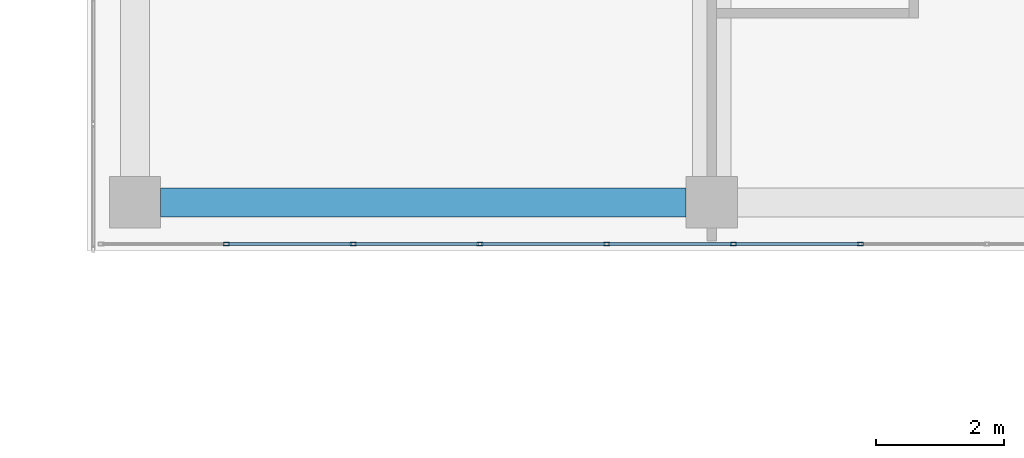
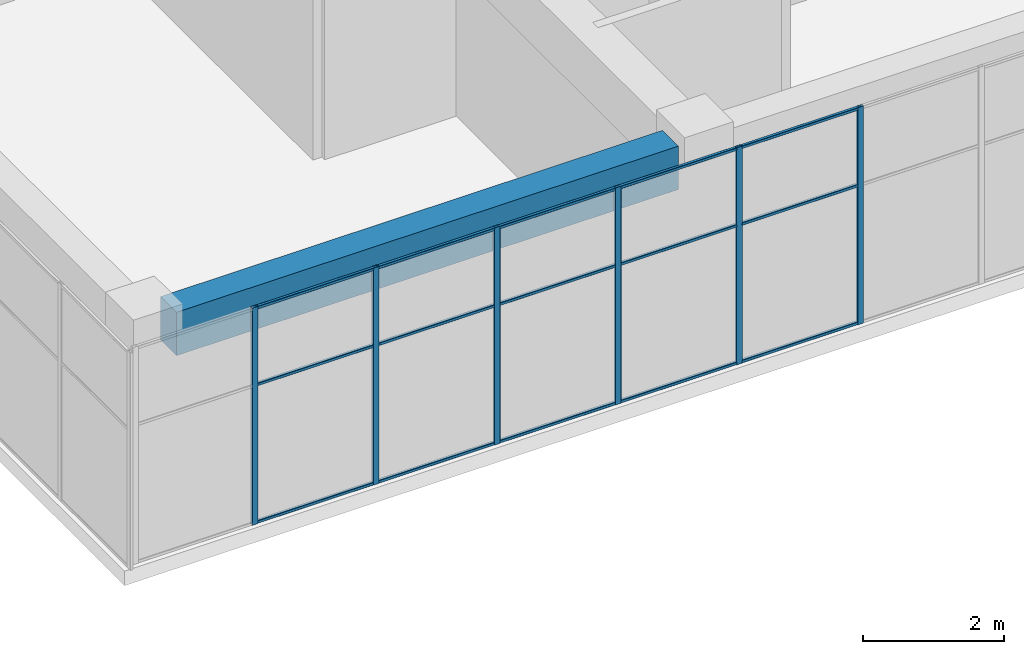
# One storey, part 22 of 55: 21 members, 1 beam, 1 element without a shape of its own.
"""IFC4 building model written with IfcOpenShell, lengths in metres."""

from ifc_helpers import new_model, si_unit, direction, frame, origin, origin_2d, place, context, subcontext, project, spatial, rectangle, hollow_rectangle, extrude, material, layer, layer_set, material_profile, profile_set, type_object, element, aggregate, save


model = new_model("IFC4")

# Units and contexts
model_context = context("Model", 3, precision=1e-05, world=origin(), true_north=direction((0.0, 1.0)))
body_context = subcontext(model_context, "Body", "Model", "MODEL_VIEW")
ifc_project = project(units=[si_unit("LENGTHUNIT", "METRE"), si_unit("AREAUNIT", "SQUARE_METRE"), si_unit("VOLUMEUNIT", "CUBIC_METRE"), si_unit("PLANEANGLEUNIT", "RADIAN"), si_unit("MASSUNIT", "GRAM", prefix="KILO")], contexts=[model_context])

# Site, building, storey
site_placement = place(None, origin())
site = spatial("IfcSite", under=ifc_project, at=site_placement, CompositionType="ELEMENT")
building_placement = place(site_placement, origin())
building = spatial("IfcBuilding", under=site, at=building_placement, Name="Tuart Plaza Theatre", CompositionType="ELEMENT")
storey_placement = place(building_placement, frame((0.0, 0.0, 21.5)))
storey = spatial("IfcBuildingStorey", under=building, at=storey_placement, Name="L05", CompositionType="ELEMENT", Elevation=21.5)

# Beam
ifc_material_1 = material(Name="Concrete N40 (40 MPa)", Category="concrete")
ifc_material_profile_1 = material_profile(ifc_material_1, rectangle(XDim=0.449951171875, YDim=0.75, at=origin_2d()), Name="BEAM 450x750 Concrete N40 (40 MPa)")
ifc_profile_set_1 = profile_set([ifc_material_profile_1], Name="Concrete N40 (40 MPa)")
beam_type = type_object("IfcBeamType", Name="BEAM 450x750 Concrete N40 (40 MPa)", PredefinedType="BEAM", material=ifc_profile_set_1)
beam_placement = place(storey_placement, frame((114.39990234375, 56.0, 3.375), z_axis=(1.0, 0.0, 0.0), x_axis=(0.0, 1.0, 0.0)))
element("IfcBeam", 1, at=beam_placement, inside=storey, type_object=beam_type, Name="RB208", PredefinedType="BEAM", context=body_context, shape_type="SweptSolid", body=[
    extrude(rectangle(XDim=0.449951171875, YDim=0.75, at=origin_2d()), origin(), (0.0, 0.0, 1.0), 8.2001953125),
])

# Curtain wall, members
ifc_material_2 = material(Name="Aluminium and glass", Category="aluminium")
ifc_layer = layer(ifc_material_2, 0.10009765625)
ifc_layer_set = layer_set([ifc_layer], Name="CURTAIN WALL 2000 module")
curtain_wall_type = type_object("IfcCurtainWallType", Name="CURTAIN WALL 2000 module", PredefinedType="NOTDEFINED", material=ifc_layer_set)
curtain_wall_placement = place(storey_placement, origin())
curtain_wall = element("IfcCurtainWall", 2, at=curtain_wall_placement, inside=storey, type_object=curtain_wall_type, Name="CW87", PredefinedType="NOTDEFINED")
ifc_material_3 = material(Name="Aluminium 6063-T5", Category="aluminium")
ifc_material_profile_2 = material_profile(ifc_material_3, hollow_rectangle(XDim=0.050048828125, YDim=0.10009765625, WallThickness=0.00390625, InnerFilletRadius=0.00390625, OuterFilletRadius=0.008056640625, at=origin_2d()), Name="RHS 100x50x4")
ifc_profile_set_2 = profile_set([ifc_material_profile_2], Name="Aluminium 6063-T5")
member_type_1 = type_object("IfcMemberType", Name="MULLION RHS 100x50x4", PredefinedType="MULLION", material=ifc_profile_set_2)
member_1_placement = place(storey_placement, frame((115.427734375, 55.35009765625, 0.0), z_axis=(0.0, 0.0, 1.0), x_axis=(0.0, 1.0, 0.0)))
member_1 = element("IfcMember", 3, at=member_1_placement, type_object=member_type_1, Name="CW87 mullion 2", PredefinedType="MULLION", context=body_context, shape_type="SweptSolid", body=[
    extrude(hollow_rectangle(XDim=0.050048828125, YDim=0.10009765625, WallThickness=0.00390625, InnerFilletRadius=0.00390625, OuterFilletRadius=0.008056640625, at=origin_2d()), origin(), (0.0, 0.0, 1.0), 3.75),
])
member_2_placement = place(storey_placement, frame((117.405517578125, 55.35009765625, 0.0), z_axis=(0.0, 0.0, 1.0), x_axis=(0.0, 1.0, 0.0)))
member_2 = element("IfcMember", 4, at=member_2_placement, type_object=member_type_1, Name="CW87 mullion 3", PredefinedType="MULLION", context=body_context, shape_type="SweptSolid", body=[
    extrude(hollow_rectangle(XDim=0.050048828125, YDim=0.10009765625, WallThickness=0.00390625, InnerFilletRadius=0.00390625, OuterFilletRadius=0.008056640625, at=origin_2d()), origin(), (0.0, 0.0, 1.0), 3.75),
])
member_3_placement = place(storey_placement, frame((119.38330078125, 55.35009765625, 0.0), z_axis=(0.0, 0.0, 1.0), x_axis=(0.0, 1.0, 0.0)))
member_3 = element("IfcMember", 5, at=member_3_placement, type_object=member_type_1, Name="CW87 mullion 4", PredefinedType="MULLION", context=body_context, shape_type="SweptSolid", body=[
    extrude(hollow_rectangle(XDim=0.050048828125, YDim=0.10009765625, WallThickness=0.00390625, InnerFilletRadius=0.00390625, OuterFilletRadius=0.008056640625, at=origin_2d()), origin(), (0.0, 0.0, 1.0), 3.75),
])
member_4_placement = place(storey_placement, frame((121.361083984375, 55.35009765625, 0.0), z_axis=(0.0, 0.0, 1.0), x_axis=(0.0, 1.0, 0.0)))
member_4 = element("IfcMember", 6, at=member_4_placement, type_object=member_type_1, Name="CW87 mullion 5", PredefinedType="MULLION", context=body_context, shape_type="SweptSolid", body=[
    extrude(hollow_rectangle(XDim=0.050048828125, YDim=0.10009765625, WallThickness=0.00390625, InnerFilletRadius=0.00390625, OuterFilletRadius=0.008056640625, at=origin_2d()), origin(), (0.0, 0.0, 1.0), 3.75),
])
member_5_placement = place(storey_placement, frame((123.3388671875, 55.35009765625, 0.0), z_axis=(0.0, 0.0, 1.0), x_axis=(0.0, 1.0, 0.0)))
member_5 = element("IfcMember", 7, at=member_5_placement, type_object=member_type_1, Name="CW87 mullion 6", PredefinedType="MULLION", context=body_context, shape_type="SweptSolid", body=[
    extrude(hollow_rectangle(XDim=0.050048828125, YDim=0.10009765625, WallThickness=0.00390625, InnerFilletRadius=0.00390625, OuterFilletRadius=0.008056640625, at=origin_2d()), origin(), (0.0, 0.0, 1.0), 3.75),
])
member_6_placement = place(storey_placement, frame((125.316650390625, 55.35009765625, 0.0), z_axis=(0.0, 0.0, 1.0), x_axis=(0.0, 1.0, 0.0)))
member_6 = element("IfcMember", 8, at=member_6_placement, type_object=member_type_1, Name="CW87 mullion 7", PredefinedType="MULLION", context=body_context, shape_type="SweptSolid", body=[
    extrude(hollow_rectangle(XDim=0.050048828125, YDim=0.10009765625, WallThickness=0.00390625, InnerFilletRadius=0.00390625, OuterFilletRadius=0.008056640625, at=origin_2d()), origin(), (0.0, 0.0, 1.0), 3.75),
])
ifc_material_4 = material(Name="Aluminium 6063-T5", Category="aluminium")
ifc_material_profile_3 = material_profile(ifc_material_4, hollow_rectangle(XDim=0.050048828125, YDim=0.050048828125, WallThickness=0.00390625, InnerFilletRadius=0.00390625, OuterFilletRadius=0.008056640625, at=origin_2d()), Name="RHS 50x50x4")
ifc_profile_set_3 = profile_set([ifc_material_profile_3], Name="Aluminium 6063-T5")
member_type_2 = type_object("IfcMemberType", Name="TRANSOM RHS 50x50x4", PredefinedType="USERDEFINED", material=ifc_profile_set_3)
member_7_placement = place(storey_placement, frame((115.452880859375, 55.35009765625, 0.02490234375), z_axis=(1.0, 0.0, 0.0), x_axis=(0.0, 1.0, 0.0)))
member_7 = element("IfcMember", 9, at=member_7_placement, type_object=member_type_2, Name="CW87 transom 2.1", ObjectType="TRANSOM", PredefinedType="USERDEFINED", context=body_context, shape_type="SweptSolid", body=[
    extrude(hollow_rectangle(XDim=0.050048828125, YDim=0.050048828125, WallThickness=0.00390625, InnerFilletRadius=0.00390625, OuterFilletRadius=0.008056640625, at=origin_2d()), origin(), (0.0, 0.0, 1.0), 1.927734375),
])
member_8_placement = place(storey_placement, frame((115.452880859375, 55.35009765625, 2.39990234375), z_axis=(1.0, 0.0, 0.0), x_axis=(0.0, 1.0, 0.0)))
member_8 = element("IfcMember", 10, at=member_8_placement, type_object=member_type_2, Name="CW87 transom 2.2", ObjectType="TRANSOM", PredefinedType="USERDEFINED", context=body_context, shape_type="SweptSolid", body=[
    extrude(hollow_rectangle(XDim=0.050048828125, YDim=0.050048828125, WallThickness=0.00390625, InnerFilletRadius=0.00390625, OuterFilletRadius=0.008056640625, at=origin_2d()), origin(), (0.0, 0.0, 1.0), 1.927734375),
])
member_9_placement = place(storey_placement, frame((115.452880859375, 55.35009765625, 3.72509765625), z_axis=(1.0, 0.0, 0.0), x_axis=(0.0, 1.0, 0.0)))
member_9 = element("IfcMember", 11, at=member_9_placement, type_object=member_type_2, Name="CW87 transom 2.3", ObjectType="TRANSOM", PredefinedType="USERDEFINED", context=body_context, shape_type="SweptSolid", body=[
    extrude(hollow_rectangle(XDim=0.050048828125, YDim=0.050048828125, WallThickness=0.00390625, InnerFilletRadius=0.00390625, OuterFilletRadius=0.008056640625, at=origin_2d()), origin(), (0.0, 0.0, 1.0), 1.927734375),
])
member_10_placement = place(storey_placement, frame((117.4306640625, 55.35009765625, 0.02490234375), z_axis=(1.0, 0.0, 0.0), x_axis=(0.0, 1.0, 0.0)))
member_10 = element("IfcMember", 12, at=member_10_placement, type_object=member_type_2, Name="CW87 transom 3.1", ObjectType="TRANSOM", PredefinedType="USERDEFINED", context=body_context, shape_type="SweptSolid", body=[
    extrude(hollow_rectangle(XDim=0.050048828125, YDim=0.050048828125, WallThickness=0.00390625, InnerFilletRadius=0.00390625, OuterFilletRadius=0.008056640625, at=origin_2d()), origin(), (0.0, 0.0, 1.0), 1.927734375),
])
member_11_placement = place(storey_placement, frame((117.4306640625, 55.35009765625, 2.39990234375), z_axis=(1.0, 0.0, 0.0), x_axis=(0.0, 1.0, 0.0)))
member_11 = element("IfcMember", 13, at=member_11_placement, type_object=member_type_2, Name="CW87 transom 3.2", ObjectType="TRANSOM", PredefinedType="USERDEFINED", context=body_context, shape_type="SweptSolid", body=[
    extrude(hollow_rectangle(XDim=0.050048828125, YDim=0.050048828125, WallThickness=0.00390625, InnerFilletRadius=0.00390625, OuterFilletRadius=0.008056640625, at=origin_2d()), origin(), (0.0, 0.0, 1.0), 1.927734375),
])
member_12_placement = place(storey_placement, frame((117.4306640625, 55.35009765625, 3.72509765625), z_axis=(1.0, 0.0, 0.0), x_axis=(0.0, 1.0, 0.0)))
member_12 = element("IfcMember", 14, at=member_12_placement, type_object=member_type_2, Name="CW87 transom 3.3", ObjectType="TRANSOM", PredefinedType="USERDEFINED", context=body_context, shape_type="SweptSolid", body=[
    extrude(hollow_rectangle(XDim=0.050048828125, YDim=0.050048828125, WallThickness=0.00390625, InnerFilletRadius=0.00390625, OuterFilletRadius=0.008056640625, at=origin_2d()), origin(), (0.0, 0.0, 1.0), 1.927734375),
])
member_13_placement = place(storey_placement, frame((119.408447265625, 55.35009765625, 0.02490234375), z_axis=(1.0, 0.0, 0.0), x_axis=(0.0, 1.0, 0.0)))
member_13 = element("IfcMember", 15, at=member_13_placement, type_object=member_type_2, Name="CW87 transom 4.1", ObjectType="TRANSOM", PredefinedType="USERDEFINED", context=body_context, shape_type="SweptSolid", body=[
    extrude(hollow_rectangle(XDim=0.050048828125, YDim=0.050048828125, WallThickness=0.00390625, InnerFilletRadius=0.00390625, OuterFilletRadius=0.008056640625, at=origin_2d()), origin(), (0.0, 0.0, 1.0), 1.927734375),
])
member_14_placement = place(storey_placement, frame((119.408447265625, 55.35009765625, 2.39990234375), z_axis=(1.0, 0.0, 0.0), x_axis=(0.0, 1.0, 0.0)))
member_14 = element("IfcMember", 16, at=member_14_placement, type_object=member_type_2, Name="CW87 transom 4.2", ObjectType="TRANSOM", PredefinedType="USERDEFINED", context=body_context, shape_type="SweptSolid", body=[
    extrude(hollow_rectangle(XDim=0.050048828125, YDim=0.050048828125, WallThickness=0.00390625, InnerFilletRadius=0.00390625, OuterFilletRadius=0.008056640625, at=origin_2d()), origin(), (0.0, 0.0, 1.0), 1.927734375),
])
member_15_placement = place(storey_placement, frame((119.408447265625, 55.35009765625, 3.72509765625), z_axis=(1.0, 0.0, 0.0), x_axis=(0.0, 1.0, 0.0)))
member_15 = element("IfcMember", 17, at=member_15_placement, type_object=member_type_2, Name="CW87 transom 4.3", ObjectType="TRANSOM", PredefinedType="USERDEFINED", context=body_context, shape_type="SweptSolid", body=[
    extrude(hollow_rectangle(XDim=0.050048828125, YDim=0.050048828125, WallThickness=0.00390625, InnerFilletRadius=0.00390625, OuterFilletRadius=0.008056640625, at=origin_2d()), origin(), (0.0, 0.0, 1.0), 1.927734375),
])
member_16_placement = place(storey_placement, frame((121.38623046875, 55.35009765625, 0.02490234375), z_axis=(1.0, 0.0, 0.0), x_axis=(0.0, 1.0, 0.0)))
member_16 = element("IfcMember", 18, at=member_16_placement, type_object=member_type_2, Name="CW87 transom 5.1", ObjectType="TRANSOM", PredefinedType="USERDEFINED", context=body_context, shape_type="SweptSolid", body=[
    extrude(hollow_rectangle(XDim=0.050048828125, YDim=0.050048828125, WallThickness=0.00390625, InnerFilletRadius=0.00390625, OuterFilletRadius=0.008056640625, at=origin_2d()), origin(), (0.0, 0.0, 1.0), 1.927734375),
])
member_17_placement = place(storey_placement, frame((121.38623046875, 55.35009765625, 2.39990234375), z_axis=(1.0, 0.0, 0.0), x_axis=(0.0, 1.0, 0.0)))
member_17 = element("IfcMember", 19, at=member_17_placement, type_object=member_type_2, Name="CW87 transom 5.2", ObjectType="TRANSOM", PredefinedType="USERDEFINED", context=body_context, shape_type="SweptSolid", body=[
    extrude(hollow_rectangle(XDim=0.050048828125, YDim=0.050048828125, WallThickness=0.00390625, InnerFilletRadius=0.00390625, OuterFilletRadius=0.008056640625, at=origin_2d()), origin(), (0.0, 0.0, 1.0), 1.927734375),
])
member_18_placement = place(storey_placement, frame((121.38623046875, 55.35009765625, 3.72509765625), z_axis=(1.0, 0.0, 0.0), x_axis=(0.0, 1.0, 0.0)))
member_18 = element("IfcMember", 20, at=member_18_placement, type_object=member_type_2, Name="CW87 transom 5.3", ObjectType="TRANSOM", PredefinedType="USERDEFINED", context=body_context, shape_type="SweptSolid", body=[
    extrude(hollow_rectangle(XDim=0.050048828125, YDim=0.050048828125, WallThickness=0.00390625, InnerFilletRadius=0.00390625, OuterFilletRadius=0.008056640625, at=origin_2d()), origin(), (0.0, 0.0, 1.0), 1.927734375),
])
member_19_placement = place(storey_placement, frame((123.36376953125, 55.35009765625, 0.02490234375), z_axis=(1.0, 0.0, 0.0), x_axis=(0.0, 1.0, 0.0)))
member_19 = element("IfcMember", 21, at=member_19_placement, type_object=member_type_2, Name="CW87 transom 6.1", ObjectType="TRANSOM", PredefinedType="USERDEFINED", context=body_context, shape_type="SweptSolid", body=[
    extrude(hollow_rectangle(XDim=0.050048828125, YDim=0.050048828125, WallThickness=0.00390625, InnerFilletRadius=0.00390625, OuterFilletRadius=0.008056640625, at=origin_2d()), origin(), (0.0, 0.0, 1.0), 1.927978515625),
])
member_20_placement = place(storey_placement, frame((123.36376953125, 55.35009765625, 2.39990234375), z_axis=(1.0, 0.0, 0.0), x_axis=(0.0, 1.0, 0.0)))
member_20 = element("IfcMember", 22, at=member_20_placement, type_object=member_type_2, Name="CW87 transom 6.2", ObjectType="TRANSOM", PredefinedType="USERDEFINED", context=body_context, shape_type="SweptSolid", body=[
    extrude(hollow_rectangle(XDim=0.050048828125, YDim=0.050048828125, WallThickness=0.00390625, InnerFilletRadius=0.00390625, OuterFilletRadius=0.008056640625, at=origin_2d()), origin(), (0.0, 0.0, 1.0), 1.927978515625),
])
member_21_placement = place(storey_placement, frame((123.36376953125, 55.35009765625, 3.72509765625), z_axis=(1.0, 0.0, 0.0), x_axis=(0.0, 1.0, 0.0)))
member_21 = element("IfcMember", 23, at=member_21_placement, type_object=member_type_2, Name="CW87 transom 6.3", ObjectType="TRANSOM", PredefinedType="USERDEFINED", context=body_context, shape_type="SweptSolid", body=[
    extrude(hollow_rectangle(XDim=0.050048828125, YDim=0.050048828125, WallThickness=0.00390625, InnerFilletRadius=0.00390625, OuterFilletRadius=0.008056640625, at=origin_2d()), origin(), (0.0, 0.0, 1.0), 1.927978515625),
])
aggregate(curtain_wall, [member_1, member_2, member_3, member_4, member_5, member_6, member_7, member_8, member_9, member_10, member_11, member_12, member_13, member_14, member_15, member_16, member_17, member_18, member_19, member_20, member_21])

save(model, "model.ifc")
